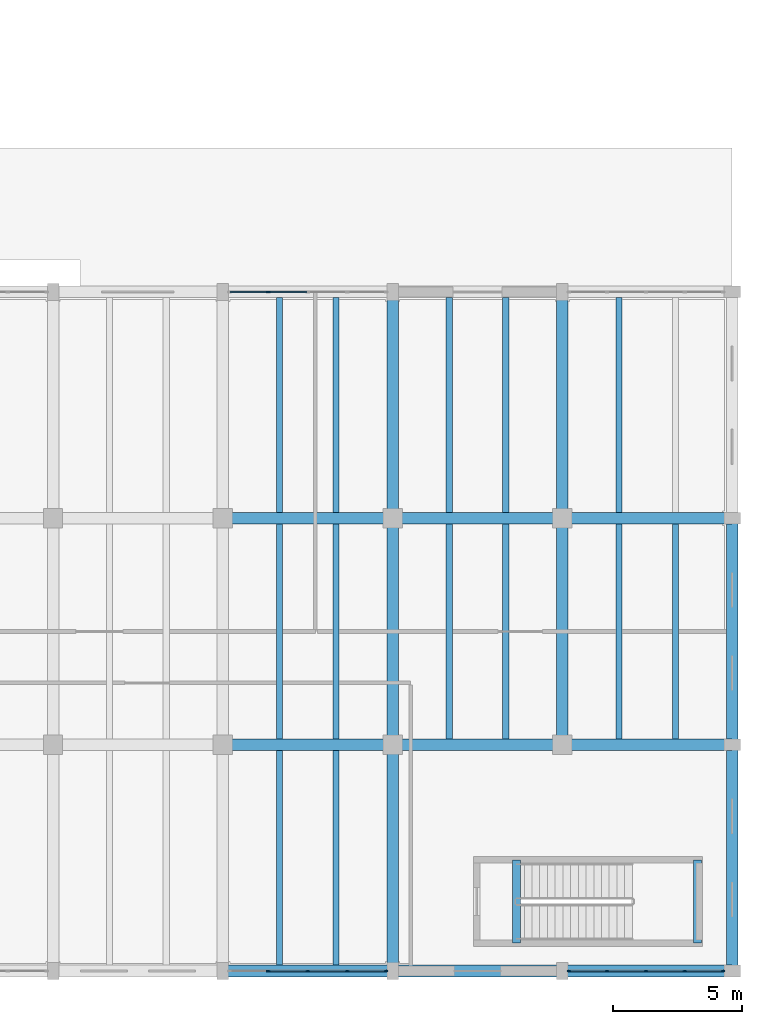
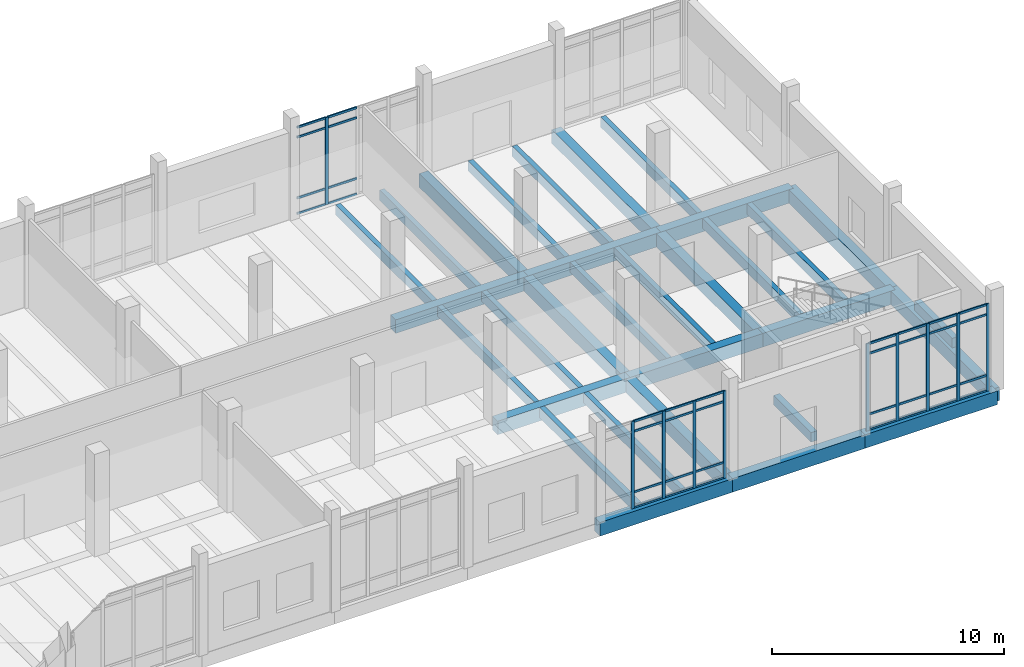
# One storey, part 25 of 72: 46 members, 31 beams, 3 elements without a shape of their own.
"""IFC4 building model written with IfcOpenShell, lengths in metres."""

from ifc_helpers import new_model, si_unit, direction, frame, origin, origin_2d, place, context, subcontext, project, spatial, rectangle, extrude, material, material_profile, profile_set, type_object, element, aggregate, save


model = new_model("IFC4")

# Units and contexts
model_context = context("Model", 3, precision=1e-05, world=origin(), true_north=direction((0.0, 1.0)))
body_context = subcontext(model_context, "Body", "Model", "MODEL_VIEW")
ifc_project = project(units=[si_unit("LENGTHUNIT", "METRE"), si_unit("AREAUNIT", "SQUARE_METRE"), si_unit("VOLUMEUNIT", "CUBIC_METRE"), si_unit("PLANEANGLEUNIT", "RADIAN"), si_unit("MASSUNIT", "GRAM", prefix="KILO")], contexts=[model_context])

# Site, building, storey
site_placement = place(None, origin())
site = spatial("IfcSite", under=ifc_project, at=site_placement, CompositionType="ELEMENT")
building_placement = place(site_placement, origin())
building = spatial("IfcBuilding", under=site, at=building_placement, Name="Dornvale Research Institute", CompositionType="ELEMENT")
storey_placement = place(building_placement, origin())
storey = spatial("IfcBuildingStorey", under=building, at=storey_placement, Name="L00", CompositionType="ELEMENT", Elevation=0.0)

# Beams
ifc_material_1 = material(Name="Concrete f'c 45 MPa (C35/45)", Category="concrete")
ifc_material_profile_1 = material_profile(ifc_material_1, rectangle(XDim=0.300048828125, YDim=0.5, at=origin_2d()), Name="RC 300x500")
ifc_profile_set_1 = profile_set([ifc_material_profile_1], Name="Concrete f'c 45 MPa (C35/45)")
beam_type_1 = type_object("IfcBeamType", Name="Beam_RC300x500_Trim", PredefinedType="BEAM", material=ifc_profile_set_1)
for number, where, z_axis, x_axis, name in (
    (1, (169.820068359375, 1.080078125, -0.25), (0.0, 1.0, 0.0), (-1.0, 0.0, 0.0), "L00 ST-6 stair landing trimmer beam #86"),
    (2, (176.85009765625, 1.080078125, 2.25), (0.0, 1.0, 0.0), (-1.0, 0.0, 0.0), "L00 ST-6 half-landing support beam #92"),
):
    element("IfcBeam", number, at=place(storey_placement, frame(where, z_axis=z_axis, x_axis=x_axis)), inside=storey, type_object=beam_type_1, Name=name, PredefinedType="BEAM", context=body_context, shape_type="SweptSolid", body=[
        extrude(rectangle(XDim=0.300048828125, YDim=0.5, at=origin_2d()), origin(), (0.0, 0.0, 1.0), 3.239990234375),
    ])
ifc_material_2 = material(Name="Concrete f'c 45 MPa (C35/45)", Category="concrete")
ifc_material_profile_2 = material_profile(ifc_material_2, rectangle(XDim=0.449951171875, YDim=0.715087890625, at=origin_2d()), Name="RC 450x715")
ifc_profile_set_2 = profile_set([ifc_material_profile_2], Name="Concrete f'c 45 MPa (C35/45)")
beam_type_2 = type_object("IfcBeamType", Name="Beam_RC450x715_Lab", PredefinedType="BEAM", material=ifc_profile_set_2)
for number, where, z_axis, x_axis, name in (
    (3, (158.39990234375, 0.0, -0.357421875), (1.0, 0.0, 0.0), (0.0, 1.0, 0.0), "L00 primary girder #140"),
    (4, (165.0, 0.0, -0.357421875), (1.0, 0.0, 0.0), (0.0, 1.0, 0.0), "L00 primary girder #141"),
):
    element("IfcBeam", number, at=place(storey_placement, frame(where, z_axis=z_axis, x_axis=x_axis)), inside=storey, type_object=beam_type_2, Name=name, PredefinedType="BEAM", context=body_context, shape_type="SweptSolid", body=[
        extrude(rectangle(XDim=0.449951171875, YDim=0.715087890625, at=origin_2d()), origin(), (0.0, 0.0, 1.0), 6.60009765625),
    ])
beam_1_placement = place(storey_placement, frame((171.60009765625, 0.0, -0.357421875), z_axis=(1.0, 0.0, 0.0), x_axis=(0.0, 1.0, 0.0)))
element("IfcBeam", 5, at=beam_1_placement, inside=storey, type_object=beam_type_2, Name="L00 primary girder #142", PredefinedType="BEAM", context=body_context, shape_type="SweptSolid", body=[
    extrude(rectangle(XDim=0.449951171875, YDim=0.715087890625, at=origin_2d()), origin(), (0.0, 0.0, 1.0), 6.599853515625),
])
for number, where, z_axis, x_axis, name in (
    (6, (158.39990234375, 8.800048828125, -0.357421875), (1.0, 0.0, 0.0), (0.0, 1.0, 0.0), "L00 primary girder #152"),
    (7, (165.0, 8.800048828125, -0.357421875), (1.0, 0.0, 0.0), (0.0, 1.0, 0.0), "L00 primary girder #153"),
):
    element("IfcBeam", number, at=place(storey_placement, frame(where, z_axis=z_axis, x_axis=x_axis)), inside=storey, type_object=beam_type_2, Name=name, PredefinedType="BEAM", context=body_context, shape_type="SweptSolid", body=[
        extrude(rectangle(XDim=0.449951171875, YDim=0.715087890625, at=origin_2d()), origin(), (0.0, 0.0, 1.0), 6.60009765625),
    ])
beam_2_placement = place(storey_placement, frame((171.60009765625, 8.800048828125, -0.357421875), z_axis=(1.0, 0.0, 0.0), x_axis=(0.0, 1.0, 0.0)))
element("IfcBeam", 8, at=beam_2_placement, inside=storey, type_object=beam_type_2, Name="L00 primary girder #154", PredefinedType="BEAM", context=body_context, shape_type="SweptSolid", body=[
    extrude(rectangle(XDim=0.449951171875, YDim=0.715087890625, at=origin_2d()), origin(), (0.0, 0.0, 1.0), 6.599853515625),
])
for number, where, z_axis, x_axis, name in (
    (9, (158.39990234375, 17.60009765625, -0.357421875), (1.0, 0.0, 0.0), (0.0, 1.0, 0.0), "L00 primary girder #164"),
    (10, (165.0, 17.60009765625, -0.357421875), (1.0, 0.0, 0.0), (0.0, 1.0, 0.0), "L00 primary girder #165"),
):
    element("IfcBeam", number, at=place(storey_placement, frame(where, z_axis=z_axis, x_axis=x_axis)), inside=storey, type_object=beam_type_2, Name=name, PredefinedType="BEAM", context=body_context, shape_type="SweptSolid", body=[
        extrude(rectangle(XDim=0.449951171875, YDim=0.715087890625, at=origin_2d()), origin(), (0.0, 0.0, 1.0), 6.60009765625),
    ])
beam_3_placement = place(storey_placement, frame((171.60009765625, 17.60009765625, -0.357421875), z_axis=(1.0, 0.0, 0.0), x_axis=(0.0, 1.0, 0.0)))
element("IfcBeam", 11, at=beam_3_placement, inside=storey, type_object=beam_type_2, Name="L00 primary girder #166", PredefinedType="BEAM", context=body_context, shape_type="SweptSolid", body=[
    extrude(rectangle(XDim=0.449951171875, YDim=0.715087890625, at=origin_2d()), origin(), (0.0, 0.0, 1.0), 6.599853515625),
])
for number, where, z_axis, x_axis, name in (
    (12, (165.0, 0.0, -0.357421875), (0.0, 1.0, 0.0), (-1.0, 0.0, 0.0), "L00 transverse girder #208"),
    (13, (165.0, 8.800048828125, -0.357421875), (0.0, 1.0, 0.0), (-1.0, 0.0, 0.0), "L00 transverse girder #209"),
):
    element("IfcBeam", number, at=place(storey_placement, frame(where, z_axis=z_axis, x_axis=x_axis)), inside=storey, type_object=beam_type_2, Name=name, PredefinedType="BEAM", context=body_context, shape_type="SweptSolid", body=[
        extrude(rectangle(XDim=0.449951171875, YDim=0.715087890625, at=origin_2d()), origin(), (0.0, 0.0, 1.0), 8.800048828125),
    ])
beam_4_placement = place(storey_placement, frame((165.0, 17.60009765625, -0.357421875), z_axis=(0.0, 1.0, 0.0), x_axis=(-1.0, 0.0, 0.0)))
element("IfcBeam", 14, at=beam_4_placement, inside=storey, type_object=beam_type_2, Name="L00 transverse girder #210", PredefinedType="BEAM", context=body_context, shape_type="SweptSolid", body=[
    extrude(rectangle(XDim=0.449951171875, YDim=0.715087890625, at=origin_2d()), origin(), (0.0, 0.0, 1.0), 8.7998046875),
])
beam_5_placement = place(storey_placement, frame((171.60009765625, 8.800048828125, -0.357421875), z_axis=(0.0, 1.0, 0.0), x_axis=(-1.0, 0.0, 0.0)))
element("IfcBeam", 15, at=beam_5_placement, inside=storey, type_object=beam_type_2, Name="L00 transverse girder #211", PredefinedType="BEAM", context=body_context, shape_type="SweptSolid", body=[
    extrude(rectangle(XDim=0.449951171875, YDim=0.715087890625, at=origin_2d()), origin(), (0.0, 0.0, 1.0), 8.800048828125),
])
beam_6_placement = place(storey_placement, frame((171.60009765625, 17.60009765625, -0.357421875), z_axis=(0.0, 1.0, 0.0), x_axis=(-1.0, 0.0, 0.0)))
element("IfcBeam", 16, at=beam_6_placement, inside=storey, type_object=beam_type_2, Name="L00 transverse girder #212", PredefinedType="BEAM", context=body_context, shape_type="SweptSolid", body=[
    extrude(rectangle(XDim=0.449951171875, YDim=0.715087890625, at=origin_2d()), origin(), (0.0, 0.0, 1.0), 8.7998046875),
])
for number, where, z_axis, x_axis, name in (
    (17, (178.199951171875, 0.0, -0.357421875), (0.0, 1.0, 0.0), (-1.0, 0.0, 0.0), "L00 transverse girder #213"),
    (18, (178.199951171875, 8.800048828125, -0.357421875), (0.0, 1.0, 0.0), (-1.0, 0.0, 0.0), "L00 transverse girder #214"),
):
    element("IfcBeam", number, at=place(storey_placement, frame(where, z_axis=z_axis, x_axis=x_axis)), inside=storey, type_object=beam_type_2, Name=name, PredefinedType="BEAM", context=body_context, shape_type="SweptSolid", body=[
        extrude(rectangle(XDim=0.449951171875, YDim=0.715087890625, at=origin_2d()), origin(), (0.0, 0.0, 1.0), 8.800048828125),
    ])
ifc_material_3 = material(Name="Concrete f'c 45 MPa (C35/45)", Category="concrete")
ifc_material_profile_3 = material_profile(ifc_material_3, rectangle(XDim=0.239990234375, YDim=0.534912109375, at=origin_2d()), Name="RC 240x535")
ifc_profile_set_3 = profile_set([ifc_material_profile_3], Name="Concrete f'c 45 MPa (C35/45)")
beam_type_3 = type_object("IfcBeamType", Name="Joist_RC240x535_Waffle", PredefinedType="JOIST", material=ifc_profile_set_3)
for number, where, z_axis, x_axis, name in (
    (19, (160.60009765625, 0.22509765625, -0.267578125), (0.0, 1.0, 0.0), (-1.0, 0.0, 0.0), "L00 laboratory waffle joist #125"),
    (20, (162.800048828125, 0.22509765625, -0.267578125), (0.0, 1.0, 0.0), (-1.0, 0.0, 0.0), "L00 laboratory waffle joist #126"),
):
    element("IfcBeam", number, at=place(storey_placement, frame(where, z_axis=z_axis, x_axis=x_axis)), inside=storey, type_object=beam_type_3, Name=name, PredefinedType="JOIST", context=body_context, shape_type="SweptSolid", body=[
        extrude(rectangle(XDim=0.239990234375, YDim=0.534912109375, at=origin_2d()), origin(), (0.0, 0.0, 1.0), 8.349853515625),
    ])
for number, where, z_axis, x_axis, name in (
    (21, (160.60009765625, 9.02490234375, -0.267578125), (0.0, 1.0, 0.0), (-1.0, 0.0, 0.0), "L00 laboratory waffle joist #127"),
    (22, (162.800048828125, 9.02490234375, -0.267578125), (0.0, 1.0, 0.0), (-1.0, 0.0, 0.0), "L00 laboratory waffle joist #128"),
    (23, (160.60009765625, 17.824951171875, -0.267578125), (0.0, 1.0, 0.0), (-1.0, 0.0, 0.0), "L00 laboratory waffle joist #129"),
    (24, (162.800048828125, 17.824951171875, -0.267578125), (0.0, 1.0, 0.0), (-1.0, 0.0, 0.0), "L00 laboratory waffle joist #130"),
    (25, (167.199951171875, 9.02490234375, -0.267578125), (0.0, 1.0, 0.0), (-1.0, 0.0, 0.0), "L00 laboratory waffle joist #131"),
    (26, (169.39990234375, 9.02490234375, -0.267578125), (0.0, 1.0, 0.0), (-1.0, 0.0, 0.0), "L00 laboratory waffle joist #132"),
    (27, (167.199951171875, 17.824951171875, -0.267578125), (0.0, 1.0, 0.0), (-1.0, 0.0, 0.0), "L00 laboratory waffle joist #133"),
    (28, (169.39990234375, 17.824951171875, -0.267578125), (0.0, 1.0, 0.0), (-1.0, 0.0, 0.0), "L00 laboratory waffle joist #134"),
    (29, (173.800048828125, 9.02490234375, -0.267578125), (0.0, 1.0, 0.0), (-1.0, 0.0, 0.0), "L00 laboratory waffle joist #135"),
    (30, (176.0, 9.02490234375, -0.267578125), (0.0, 1.0, 0.0), (-1.0, 0.0, 0.0), "L00 laboratory waffle joist #136"),
    (31, (173.800048828125, 17.824951171875, -0.267578125), (0.0, 1.0, 0.0), (-1.0, 0.0, 0.0), "L00 laboratory waffle joist #137"),
):
    element("IfcBeam", number, at=place(storey_placement, frame(where, z_axis=z_axis, x_axis=x_axis)), inside=storey, type_object=beam_type_3, Name=name, PredefinedType="JOIST", context=body_context, shape_type="SweptSolid", body=[
        extrude(rectangle(XDim=0.239990234375, YDim=0.534912109375, at=origin_2d()), origin(), (0.0, 0.0, 1.0), 8.35009765625),
    ])

# Curtain wall, member
ifc_material_4 = material(Name="Low-E Argon Double Insulating Glazing Unit", Category="glass")
curtain_wall_type_1 = type_object("IfcCurtainWallType", Name="UnitisedCurtainWall_V3_6150x4600", PredefinedType="USERDEFINED", material=ifc_material_4)
curtain_wall_1_placement = place(storey_placement, origin())
curtain_wall_1 = element("IfcCurtainWall", 32, at=curtain_wall_1_placement, inside=storey, type_object=curtain_wall_type_1, Name="L00 V3 unitised curtain wall CW-04 #23", ObjectType="UNITISED CURTAIN WALL", PredefinedType="USERDEFINED")
ifc_material_5 = material(Name="Anodized Aluminum AA 6063-T6 Thermally Broken Frame", Category="aluminium")
ifc_material_profile_4 = material_profile(ifc_material_5, rectangle(XDim=0.06494140625, YDim=0.14990234375, at=origin_2d()), Name="ALU MULLION 65x150")
ifc_profile_set_4 = profile_set([ifc_material_profile_4], Name="Anodized Aluminum AA 6063-T6 Thermally Broken Frame")
member_type_1 = type_object("IfcMemberType", Name="Mullion_CW_65x150", PredefinedType="MULLION", material=ifc_profile_set_4)
member_1_placement = place(storey_placement, frame((160.16259765625, 26.39990234375, 0.0), z_axis=(0.0, 0.0, 1.0), x_axis=(0.0, 1.0, 0.0)))
member_1 = element("IfcMember", 33, at=member_1_placement, type_object=member_type_1, Name="CW-04 mullion 2", PredefinedType="MULLION", context=body_context, shape_type="SweptSolid", body=[
    extrude(rectangle(XDim=0.06494140625, YDim=0.14990234375, at=origin_2d()), origin(), (0.0, 0.0, 1.0), 4.60009765625),
])

# Curtain wall, members
ifc_material_6 = material(Name="Low-E Argon Double Insulating Glazing Unit", Category="glass")
curtain_wall_type_2 = type_object("IfcCurtainWallType", Name="UnitisedCurtainWall_V3_6050x4600", PredefinedType="USERDEFINED", material=ifc_material_6)
curtain_wall_2_placement = place(storey_placement, origin())
curtain_wall_2 = element("IfcCurtainWall", 34, at=curtain_wall_2_placement, inside=storey, type_object=curtain_wall_type_2, Name="L00 V3 unitised curtain wall CW-05 #25", ObjectType="UNITISED CURTAIN WALL", PredefinedType="USERDEFINED")
member_2_placement = place(storey_placement, frame((177.842529296875, 0.0, 0.0), z_axis=(0.0, 0.0, 1.0), x_axis=(0.0, -1.0, 0.0)))
member_2 = element("IfcMember", 35, at=member_2_placement, type_object=member_type_1, Name="CW-05 mullion 1", PredefinedType="MULLION", context=body_context, shape_type="SweptSolid", body=[
    extrude(rectangle(XDim=0.06494140625, YDim=0.14990234375, at=origin_2d()), origin(), (0.0, 0.0, 1.0), 4.60009765625),
])
member_3_placement = place(storey_placement, frame((176.362548828125, 0.0, 0.0), z_axis=(0.0, 0.0, 1.0), x_axis=(0.0, -1.0, 0.0)))
member_3 = element("IfcMember", 36, at=member_3_placement, type_object=member_type_1, Name="CW-05 mullion 2", PredefinedType="MULLION", context=body_context, shape_type="SweptSolid", body=[
    extrude(rectangle(XDim=0.06494140625, YDim=0.14990234375, at=origin_2d()), origin(), (0.0, 0.0, 1.0), 4.60009765625),
])
member_4_placement = place(storey_placement, frame((174.85009765625, 0.0, 0.0), z_axis=(0.0, 0.0, 1.0), x_axis=(0.0, -1.0, 0.0)))
member_4 = element("IfcMember", 37, at=member_4_placement, type_object=member_type_1, Name="CW-05 mullion 3", PredefinedType="MULLION", context=body_context, shape_type="SweptSolid", body=[
    extrude(rectangle(XDim=0.06494140625, YDim=0.14990234375, at=origin_2d()), origin(), (0.0, 0.0, 1.0), 4.60009765625),
])
member_5_placement = place(storey_placement, frame((173.33740234375, 0.0, 0.0), z_axis=(0.0, 0.0, 1.0), x_axis=(0.0, -1.0, 0.0)))
member_5 = element("IfcMember", 38, at=member_5_placement, type_object=member_type_1, Name="CW-05 mullion 4", PredefinedType="MULLION", context=body_context, shape_type="SweptSolid", body=[
    extrude(rectangle(XDim=0.06494140625, YDim=0.14990234375, at=origin_2d()), origin(), (0.0, 0.0, 1.0), 4.60009765625),
])
member_6_placement = place(storey_placement, frame((171.857421875, 0.0, 0.0), z_axis=(0.0, 0.0, 1.0), x_axis=(0.0, -1.0, 0.0)))
member_6 = element("IfcMember", 39, at=member_6_placement, type_object=member_type_1, Name="CW-05 mullion 5", PredefinedType="MULLION", context=body_context, shape_type="SweptSolid", body=[
    extrude(rectangle(XDim=0.06494140625, YDim=0.14990234375, at=origin_2d()), origin(), (0.0, 0.0, 1.0), 4.60009765625),
])

curtain_wall_3_placement = place(storey_placement, origin())
curtain_wall_3 = element("IfcCurtainWall", 40, at=curtain_wall_3_placement, inside=storey, type_object=curtain_wall_type_1, Name="L00 V3 unitised curtain wall CW-04 #26", ObjectType="UNITISED CURTAIN WALL", PredefinedType="USERDEFINED")
member_7_placement = place(storey_placement, frame((164.742431640625, 0.0, 0.0), z_axis=(0.0, 0.0, 1.0), x_axis=(0.0, -1.0, 0.0)))
member_7 = element("IfcMember", 41, at=member_7_placement, type_object=member_type_1, Name="CW-04 mullion 1", PredefinedType="MULLION", context=body_context, shape_type="SweptSolid", body=[
    extrude(rectangle(XDim=0.06494140625, YDim=0.14990234375, at=origin_2d()), origin(), (0.0, 0.0, 1.0), 4.60009765625),
])
member_8_placement = place(storey_placement, frame((163.237548828125, 0.0, 0.0), z_axis=(0.0, 0.0, 1.0), x_axis=(0.0, -1.0, 0.0)))
member_8 = element("IfcMember", 42, at=member_8_placement, type_object=member_type_1, Name="CW-04 mullion 2", PredefinedType="MULLION", context=body_context, shape_type="SweptSolid", body=[
    extrude(rectangle(XDim=0.06494140625, YDim=0.14990234375, at=origin_2d()), origin(), (0.0, 0.0, 1.0), 4.60009765625),
])
member_9_placement = place(storey_placement, frame((161.699951171875, 0.0, 0.0), z_axis=(0.0, 0.0, 1.0), x_axis=(0.0, -1.0, 0.0)))
member_9 = element("IfcMember", 43, at=member_9_placement, type_object=member_type_1, Name="CW-04 mullion 3", PredefinedType="MULLION", context=body_context, shape_type="SweptSolid", body=[
    extrude(rectangle(XDim=0.06494140625, YDim=0.14990234375, at=origin_2d()), origin(), (0.0, 0.0, 1.0), 4.60009765625),
])
member_10_placement = place(storey_placement, frame((160.16259765625, 0.0, 0.0), z_axis=(0.0, 0.0, 1.0), x_axis=(0.0, -1.0, 0.0)))
member_10 = element("IfcMember", 44, at=member_10_placement, type_object=member_type_1, Name="CW-04 mullion 4", PredefinedType="MULLION", context=body_context, shape_type="SweptSolid", body=[
    extrude(rectangle(XDim=0.06494140625, YDim=0.14990234375, at=origin_2d()), origin(), (0.0, 0.0, 1.0), 4.60009765625),
])

# Member
ifc_material_7 = material(Name="Anodized Aluminum AA 6063-T6 Thermally Broken Frame", Category="aluminium")
ifc_material_profile_5 = material_profile(ifc_material_7, rectangle(XDim=0.06494140625, YDim=0.110107421875, at=origin_2d()), Name="ALU TRANSOM 65x110")
ifc_profile_set_5 = profile_set([ifc_material_profile_5], Name="Anodized Aluminum AA 6063-T6 Thermally Broken Frame")
member_type_2 = type_object("IfcMemberType", Name="Transom_CW_65x110", PredefinedType="USERDEFINED", material=ifc_profile_set_5)
member_11_placement = place(storey_placement, frame((158.68994140625, 26.39990234375, 0.032470703125), z_axis=(1.0, 0.0, 0.0), x_axis=(0.0, 1.0, 0.0)))
member_11 = element("IfcMember", 45, at=member_11_placement, type_object=member_type_2, Name="CW-04 transom 1.1", ObjectType="TRANSOM", PredefinedType="USERDEFINED", context=body_context, shape_type="SweptSolid", body=[
    extrude(rectangle(XDim=0.06494140625, YDim=0.110107421875, at=origin_2d()), origin(), (0.0, 0.0, 1.0), 1.43994140625),
])

member_12_placement = place(storey_placement, frame((158.68994140625, 26.39990234375, 0.85009765625), z_axis=(1.0, 0.0, 0.0), x_axis=(0.0, 1.0, 0.0)))
member_12 = element("IfcMember", 46, at=member_12_placement, type_object=member_type_2, Name="CW-04 transom 1.2", ObjectType="TRANSOM", PredefinedType="USERDEFINED", context=body_context, shape_type="SweptSolid", body=[
    extrude(rectangle(XDim=0.06494140625, YDim=0.110107421875, at=origin_2d()), origin(), (0.0, 0.0, 1.0), 1.43994140625),
])

member_13_placement = place(storey_placement, frame((158.68994140625, 26.39990234375, 4.050048828125), z_axis=(1.0, 0.0, 0.0), x_axis=(0.0, 1.0, 0.0)))
member_13 = element("IfcMember", 47, at=member_13_placement, type_object=member_type_2, Name="CW-04 transom 1.3", ObjectType="TRANSOM", PredefinedType="USERDEFINED", context=body_context, shape_type="SweptSolid", body=[
    extrude(rectangle(XDim=0.06494140625, YDim=0.110107421875, at=origin_2d()), origin(), (0.0, 0.0, 1.0), 1.43994140625),
])

member_14_placement = place(storey_placement, frame((158.68994140625, 26.39990234375, 4.5673828125), z_axis=(1.0, 0.0, 0.0), x_axis=(0.0, 1.0, 0.0)))
member_14 = element("IfcMember", 48, at=member_14_placement, type_object=member_type_2, Name="CW-04 transom 1.4", ObjectType="TRANSOM", PredefinedType="USERDEFINED", context=body_context, shape_type="SweptSolid", body=[
    extrude(rectangle(XDim=0.06494140625, YDim=0.110107421875, at=origin_2d()), origin(), (0.0, 0.0, 1.0), 1.43994140625),
])

member_15_placement = place(storey_placement, frame((160.195068359375, 26.39990234375, 0.032470703125), z_axis=(1.0, 0.0, 0.0), x_axis=(0.0, 1.0, 0.0)))
member_15 = element("IfcMember", 49, at=member_15_placement, type_object=member_type_2, Name="CW-04 transom 2.1", ObjectType="TRANSOM", PredefinedType="USERDEFINED", context=body_context, shape_type="SweptSolid", body=[
    extrude(rectangle(XDim=0.06494140625, YDim=0.110107421875, at=origin_2d()), origin(), (0.0, 0.0, 1.0), 1.472412109375),
])

member_16_placement = place(storey_placement, frame((160.195068359375, 26.39990234375, 0.85009765625), z_axis=(1.0, 0.0, 0.0), x_axis=(0.0, 1.0, 0.0)))
member_16 = element("IfcMember", 50, at=member_16_placement, type_object=member_type_2, Name="CW-04 transom 2.2", ObjectType="TRANSOM", PredefinedType="USERDEFINED", context=body_context, shape_type="SweptSolid", body=[
    extrude(rectangle(XDim=0.06494140625, YDim=0.110107421875, at=origin_2d()), origin(), (0.0, 0.0, 1.0), 1.472412109375),
])

member_17_placement = place(storey_placement, frame((160.195068359375, 26.39990234375, 4.050048828125), z_axis=(1.0, 0.0, 0.0), x_axis=(0.0, 1.0, 0.0)))
member_17 = element("IfcMember", 51, at=member_17_placement, type_object=member_type_2, Name="CW-04 transom 2.3", ObjectType="TRANSOM", PredefinedType="USERDEFINED", context=body_context, shape_type="SweptSolid", body=[
    extrude(rectangle(XDim=0.06494140625, YDim=0.110107421875, at=origin_2d()), origin(), (0.0, 0.0, 1.0), 1.472412109375),
])

member_18_placement = place(storey_placement, frame((160.195068359375, 26.39990234375, 4.5673828125), z_axis=(1.0, 0.0, 0.0), x_axis=(0.0, 1.0, 0.0)))
member_18 = element("IfcMember", 52, at=member_18_placement, type_object=member_type_2, Name="CW-04 transom 2.4", ObjectType="TRANSOM", PredefinedType="USERDEFINED", context=body_context, shape_type="SweptSolid", body=[
    extrude(rectangle(XDim=0.06494140625, YDim=0.110107421875, at=origin_2d()), origin(), (0.0, 0.0, 1.0), 1.472412109375),
])

aggregate(curtain_wall_1, [member_1, member_11, member_12, member_13, member_14, member_15, member_16, member_17, member_18])

member_19_placement = place(storey_placement, frame((177.81005859375, 0.0, 0.032470703125), z_axis=(-1.0, 0.0, 0.0), x_axis=(0.0, -1.0, 0.0)))
member_19 = element("IfcMember", 53, at=member_19_placement, type_object=member_type_2, Name="CW-05 transom 1.1", ObjectType="TRANSOM", PredefinedType="USERDEFINED", context=body_context, shape_type="SweptSolid", body=[
    extrude(rectangle(XDim=0.06494140625, YDim=0.110107421875, at=origin_2d()), origin(), (0.0, 0.0, 1.0), 1.4150390625),
])

member_20_placement = place(storey_placement, frame((177.81005859375, 0.0, 0.85009765625), z_axis=(-1.0, 0.0, 0.0), x_axis=(0.0, -1.0, 0.0)))
member_20 = element("IfcMember", 54, at=member_20_placement, type_object=member_type_2, Name="CW-05 transom 1.2", ObjectType="TRANSOM", PredefinedType="USERDEFINED", context=body_context, shape_type="SweptSolid", body=[
    extrude(rectangle(XDim=0.06494140625, YDim=0.110107421875, at=origin_2d()), origin(), (0.0, 0.0, 1.0), 1.4150390625),
])

member_21_placement = place(storey_placement, frame((177.81005859375, 0.0, 4.050048828125), z_axis=(-1.0, 0.0, 0.0), x_axis=(0.0, -1.0, 0.0)))
member_21 = element("IfcMember", 55, at=member_21_placement, type_object=member_type_2, Name="CW-05 transom 1.3", ObjectType="TRANSOM", PredefinedType="USERDEFINED", context=body_context, shape_type="SweptSolid", body=[
    extrude(rectangle(XDim=0.06494140625, YDim=0.110107421875, at=origin_2d()), origin(), (0.0, 0.0, 1.0), 1.4150390625),
])

member_22_placement = place(storey_placement, frame((177.81005859375, 0.0, 4.5673828125), z_axis=(-1.0, 0.0, 0.0), x_axis=(0.0, -1.0, 0.0)))
member_22 = element("IfcMember", 56, at=member_22_placement, type_object=member_type_2, Name="CW-05 transom 1.4", ObjectType="TRANSOM", PredefinedType="USERDEFINED", context=body_context, shape_type="SweptSolid", body=[
    extrude(rectangle(XDim=0.06494140625, YDim=0.110107421875, at=origin_2d()), origin(), (0.0, 0.0, 1.0), 1.4150390625),
])

member_23_placement = place(storey_placement, frame((176.330078125, 0.0, 0.032470703125), z_axis=(-1.0, 0.0, 0.0), x_axis=(0.0, -1.0, 0.0)))
member_23 = element("IfcMember", 57, at=member_23_placement, type_object=member_type_2, Name="CW-05 transom 2.1", ObjectType="TRANSOM", PredefinedType="USERDEFINED", context=body_context, shape_type="SweptSolid", body=[
    extrude(rectangle(XDim=0.06494140625, YDim=0.110107421875, at=origin_2d()), origin(), (0.0, 0.0, 1.0), 1.447509765625),
])

member_24_placement = place(storey_placement, frame((176.330078125, 0.0, 0.85009765625), z_axis=(-1.0, 0.0, 0.0), x_axis=(0.0, -1.0, 0.0)))
member_24 = element("IfcMember", 58, at=member_24_placement, type_object=member_type_2, Name="CW-05 transom 2.2", ObjectType="TRANSOM", PredefinedType="USERDEFINED", context=body_context, shape_type="SweptSolid", body=[
    extrude(rectangle(XDim=0.06494140625, YDim=0.110107421875, at=origin_2d()), origin(), (0.0, 0.0, 1.0), 1.447509765625),
])

member_25_placement = place(storey_placement, frame((176.330078125, 0.0, 4.050048828125), z_axis=(-1.0, 0.0, 0.0), x_axis=(0.0, -1.0, 0.0)))
member_25 = element("IfcMember", 59, at=member_25_placement, type_object=member_type_2, Name="CW-05 transom 2.3", ObjectType="TRANSOM", PredefinedType="USERDEFINED", context=body_context, shape_type="SweptSolid", body=[
    extrude(rectangle(XDim=0.06494140625, YDim=0.110107421875, at=origin_2d()), origin(), (0.0, 0.0, 1.0), 1.447509765625),
])

member_26_placement = place(storey_placement, frame((176.330078125, 0.0, 4.5673828125), z_axis=(-1.0, 0.0, 0.0), x_axis=(0.0, -1.0, 0.0)))
member_26 = element("IfcMember", 60, at=member_26_placement, type_object=member_type_2, Name="CW-05 transom 2.4", ObjectType="TRANSOM", PredefinedType="USERDEFINED", context=body_context, shape_type="SweptSolid", body=[
    extrude(rectangle(XDim=0.06494140625, YDim=0.110107421875, at=origin_2d()), origin(), (0.0, 0.0, 1.0), 1.447509765625),
])

member_27_placement = place(storey_placement, frame((174.8173828125, 0.0, 0.032470703125), z_axis=(-1.0, 0.0, 0.0), x_axis=(0.0, -1.0, 0.0)))
member_27 = element("IfcMember", 61, at=member_27_placement, type_object=member_type_2, Name="CW-05 transom 3.1", ObjectType="TRANSOM", PredefinedType="USERDEFINED", context=body_context, shape_type="SweptSolid", body=[
    extrude(rectangle(XDim=0.06494140625, YDim=0.110107421875, at=origin_2d()), origin(), (0.0, 0.0, 1.0), 1.447265625),
])

member_28_placement = place(storey_placement, frame((174.8173828125, 0.0, 0.85009765625), z_axis=(-1.0, 0.0, 0.0), x_axis=(0.0, -1.0, 0.0)))
member_28 = element("IfcMember", 62, at=member_28_placement, type_object=member_type_2, Name="CW-05 transom 3.2", ObjectType="TRANSOM", PredefinedType="USERDEFINED", context=body_context, shape_type="SweptSolid", body=[
    extrude(rectangle(XDim=0.06494140625, YDim=0.110107421875, at=origin_2d()), origin(), (0.0, 0.0, 1.0), 1.447265625),
])

member_29_placement = place(storey_placement, frame((174.8173828125, 0.0, 4.050048828125), z_axis=(-1.0, 0.0, 0.0), x_axis=(0.0, -1.0, 0.0)))
member_29 = element("IfcMember", 63, at=member_29_placement, type_object=member_type_2, Name="CW-05 transom 3.3", ObjectType="TRANSOM", PredefinedType="USERDEFINED", context=body_context, shape_type="SweptSolid", body=[
    extrude(rectangle(XDim=0.06494140625, YDim=0.110107421875, at=origin_2d()), origin(), (0.0, 0.0, 1.0), 1.447265625),
])

member_30_placement = place(storey_placement, frame((174.8173828125, 0.0, 4.5673828125), z_axis=(-1.0, 0.0, 0.0), x_axis=(0.0, -1.0, 0.0)))
member_30 = element("IfcMember", 64, at=member_30_placement, type_object=member_type_2, Name="CW-05 transom 3.4", ObjectType="TRANSOM", PredefinedType="USERDEFINED", context=body_context, shape_type="SweptSolid", body=[
    extrude(rectangle(XDim=0.06494140625, YDim=0.110107421875, at=origin_2d()), origin(), (0.0, 0.0, 1.0), 1.447265625),
])

member_31_placement = place(storey_placement, frame((173.304931640625, 0.0, 0.032470703125), z_axis=(-1.0, 0.0, 0.0), x_axis=(0.0, -1.0, 0.0)))
member_31 = element("IfcMember", 65, at=member_31_placement, type_object=member_type_2, Name="CW-05 transom 4.1", ObjectType="TRANSOM", PredefinedType="USERDEFINED", context=body_context, shape_type="SweptSolid", body=[
    extrude(rectangle(XDim=0.06494140625, YDim=0.110107421875, at=origin_2d()), origin(), (0.0, 0.0, 1.0), 1.4150390625),
])

member_32_placement = place(storey_placement, frame((173.304931640625, 0.0, 0.85009765625), z_axis=(-1.0, 0.0, 0.0), x_axis=(0.0, -1.0, 0.0)))
member_32 = element("IfcMember", 66, at=member_32_placement, type_object=member_type_2, Name="CW-05 transom 4.2", ObjectType="TRANSOM", PredefinedType="USERDEFINED", context=body_context, shape_type="SweptSolid", body=[
    extrude(rectangle(XDim=0.06494140625, YDim=0.110107421875, at=origin_2d()), origin(), (0.0, 0.0, 1.0), 1.4150390625),
])

member_33_placement = place(storey_placement, frame((173.304931640625, 0.0, 4.050048828125), z_axis=(-1.0, 0.0, 0.0), x_axis=(0.0, -1.0, 0.0)))
member_33 = element("IfcMember", 67, at=member_33_placement, type_object=member_type_2, Name="CW-05 transom 4.3", ObjectType="TRANSOM", PredefinedType="USERDEFINED", context=body_context, shape_type="SweptSolid", body=[
    extrude(rectangle(XDim=0.06494140625, YDim=0.110107421875, at=origin_2d()), origin(), (0.0, 0.0, 1.0), 1.4150390625),
])

member_34_placement = place(storey_placement, frame((173.304931640625, 0.0, 4.5673828125), z_axis=(-1.0, 0.0, 0.0), x_axis=(0.0, -1.0, 0.0)))
member_34 = element("IfcMember", 68, at=member_34_placement, type_object=member_type_2, Name="CW-05 transom 4.4", ObjectType="TRANSOM", PredefinedType="USERDEFINED", context=body_context, shape_type="SweptSolid", body=[
    extrude(rectangle(XDim=0.06494140625, YDim=0.110107421875, at=origin_2d()), origin(), (0.0, 0.0, 1.0), 1.4150390625),
])

aggregate(curtain_wall_2, [member_2, member_3, member_4, member_5, member_6, member_19, member_20, member_21, member_22, member_23, member_24, member_25, member_26, member_27, member_28, member_29, member_30, member_31, member_32, member_33, member_34])

member_35_placement = place(storey_placement, frame((164.7099609375, 0.0, 0.032470703125), z_axis=(-1.0, 0.0, 0.0), x_axis=(0.0, -1.0, 0.0)))
member_35 = element("IfcMember", 69, at=member_35_placement, type_object=member_type_2, Name="CW-04 transom 1.1", ObjectType="TRANSOM", PredefinedType="USERDEFINED", context=body_context, shape_type="SweptSolid", body=[
    extrude(rectangle(XDim=0.06494140625, YDim=0.110107421875, at=origin_2d()), origin(), (0.0, 0.0, 1.0), 1.43994140625),
])

member_36_placement = place(storey_placement, frame((164.7099609375, 0.0, 0.85009765625), z_axis=(-1.0, 0.0, 0.0), x_axis=(0.0, -1.0, 0.0)))
member_36 = element("IfcMember", 70, at=member_36_placement, type_object=member_type_2, Name="CW-04 transom 1.2", ObjectType="TRANSOM", PredefinedType="USERDEFINED", context=body_context, shape_type="SweptSolid", body=[
    extrude(rectangle(XDim=0.06494140625, YDim=0.110107421875, at=origin_2d()), origin(), (0.0, 0.0, 1.0), 1.43994140625),
])

member_37_placement = place(storey_placement, frame((164.7099609375, 0.0, 4.050048828125), z_axis=(-1.0, 0.0, 0.0), x_axis=(0.0, -1.0, 0.0)))
member_37 = element("IfcMember", 71, at=member_37_placement, type_object=member_type_2, Name="CW-04 transom 1.3", ObjectType="TRANSOM", PredefinedType="USERDEFINED", context=body_context, shape_type="SweptSolid", body=[
    extrude(rectangle(XDim=0.06494140625, YDim=0.110107421875, at=origin_2d()), origin(), (0.0, 0.0, 1.0), 1.43994140625),
])

member_38_placement = place(storey_placement, frame((164.7099609375, 0.0, 4.5673828125), z_axis=(-1.0, 0.0, 0.0), x_axis=(0.0, -1.0, 0.0)))
member_38 = element("IfcMember", 72, at=member_38_placement, type_object=member_type_2, Name="CW-04 transom 1.4", ObjectType="TRANSOM", PredefinedType="USERDEFINED", context=body_context, shape_type="SweptSolid", body=[
    extrude(rectangle(XDim=0.06494140625, YDim=0.110107421875, at=origin_2d()), origin(), (0.0, 0.0, 1.0), 1.43994140625),
])

member_39_placement = place(storey_placement, frame((163.205078125, 0.0, 0.032470703125), z_axis=(-1.0, 0.0, 0.0), x_axis=(0.0, -1.0, 0.0)))
member_39 = element("IfcMember", 73, at=member_39_placement, type_object=member_type_2, Name="CW-04 transom 2.1", ObjectType="TRANSOM", PredefinedType="USERDEFINED", context=body_context, shape_type="SweptSolid", body=[
    extrude(rectangle(XDim=0.06494140625, YDim=0.110107421875, at=origin_2d()), origin(), (0.0, 0.0, 1.0), 1.47265625),
])

member_40_placement = place(storey_placement, frame((163.205078125, 0.0, 0.85009765625), z_axis=(-1.0, 0.0, 0.0), x_axis=(0.0, -1.0, 0.0)))
member_40 = element("IfcMember", 74, at=member_40_placement, type_object=member_type_2, Name="CW-04 transom 2.2", ObjectType="TRANSOM", PredefinedType="USERDEFINED", context=body_context, shape_type="SweptSolid", body=[
    extrude(rectangle(XDim=0.06494140625, YDim=0.110107421875, at=origin_2d()), origin(), (0.0, 0.0, 1.0), 1.47265625),
])

member_41_placement = place(storey_placement, frame((163.205078125, 0.0, 4.050048828125), z_axis=(-1.0, 0.0, 0.0), x_axis=(0.0, -1.0, 0.0)))
member_41 = element("IfcMember", 75, at=member_41_placement, type_object=member_type_2, Name="CW-04 transom 2.3", ObjectType="TRANSOM", PredefinedType="USERDEFINED", context=body_context, shape_type="SweptSolid", body=[
    extrude(rectangle(XDim=0.06494140625, YDim=0.110107421875, at=origin_2d()), origin(), (0.0, 0.0, 1.0), 1.47265625),
])

member_42_placement = place(storey_placement, frame((163.205078125, 0.0, 4.5673828125), z_axis=(-1.0, 0.0, 0.0), x_axis=(0.0, -1.0, 0.0)))
member_42 = element("IfcMember", 76, at=member_42_placement, type_object=member_type_2, Name="CW-04 transom 2.4", ObjectType="TRANSOM", PredefinedType="USERDEFINED", context=body_context, shape_type="SweptSolid", body=[
    extrude(rectangle(XDim=0.06494140625, YDim=0.110107421875, at=origin_2d()), origin(), (0.0, 0.0, 1.0), 1.47265625),
])

member_43_placement = place(storey_placement, frame((161.66748046875, 0.0, 0.032470703125), z_axis=(-1.0, 0.0, 0.0), x_axis=(0.0, -1.0, 0.0)))
member_43 = element("IfcMember", 77, at=member_43_placement, type_object=member_type_2, Name="CW-04 transom 3.1", ObjectType="TRANSOM", PredefinedType="USERDEFINED", context=body_context, shape_type="SweptSolid", body=[
    extrude(rectangle(XDim=0.06494140625, YDim=0.110107421875, at=origin_2d()), origin(), (0.0, 0.0, 1.0), 1.472412109375),
])

member_44_placement = place(storey_placement, frame((161.66748046875, 0.0, 0.85009765625), z_axis=(-1.0, 0.0, 0.0), x_axis=(0.0, -1.0, 0.0)))
member_44 = element("IfcMember", 78, at=member_44_placement, type_object=member_type_2, Name="CW-04 transom 3.2", ObjectType="TRANSOM", PredefinedType="USERDEFINED", context=body_context, shape_type="SweptSolid", body=[
    extrude(rectangle(XDim=0.06494140625, YDim=0.110107421875, at=origin_2d()), origin(), (0.0, 0.0, 1.0), 1.472412109375),
])

member_45_placement = place(storey_placement, frame((161.66748046875, 0.0, 4.050048828125), z_axis=(-1.0, 0.0, 0.0), x_axis=(0.0, -1.0, 0.0)))
member_45 = element("IfcMember", 79, at=member_45_placement, type_object=member_type_2, Name="CW-04 transom 3.3", ObjectType="TRANSOM", PredefinedType="USERDEFINED", context=body_context, shape_type="SweptSolid", body=[
    extrude(rectangle(XDim=0.06494140625, YDim=0.110107421875, at=origin_2d()), origin(), (0.0, 0.0, 1.0), 1.472412109375),
])

member_46_placement = place(storey_placement, frame((161.66748046875, 0.0, 4.5673828125), z_axis=(-1.0, 0.0, 0.0), x_axis=(0.0, -1.0, 0.0)))
member_46 = element("IfcMember", 80, at=member_46_placement, type_object=member_type_2, Name="CW-04 transom 3.4", ObjectType="TRANSOM", PredefinedType="USERDEFINED", context=body_context, shape_type="SweptSolid", body=[
    extrude(rectangle(XDim=0.06494140625, YDim=0.110107421875, at=origin_2d()), origin(), (0.0, 0.0, 1.0), 1.472412109375),
])

aggregate(curtain_wall_3, [member_7, member_8, member_9, member_10, member_35, member_36, member_37, member_38, member_39, member_40, member_41, member_42, member_43, member_44, member_45, member_46])

save(model, "model.ifc")
